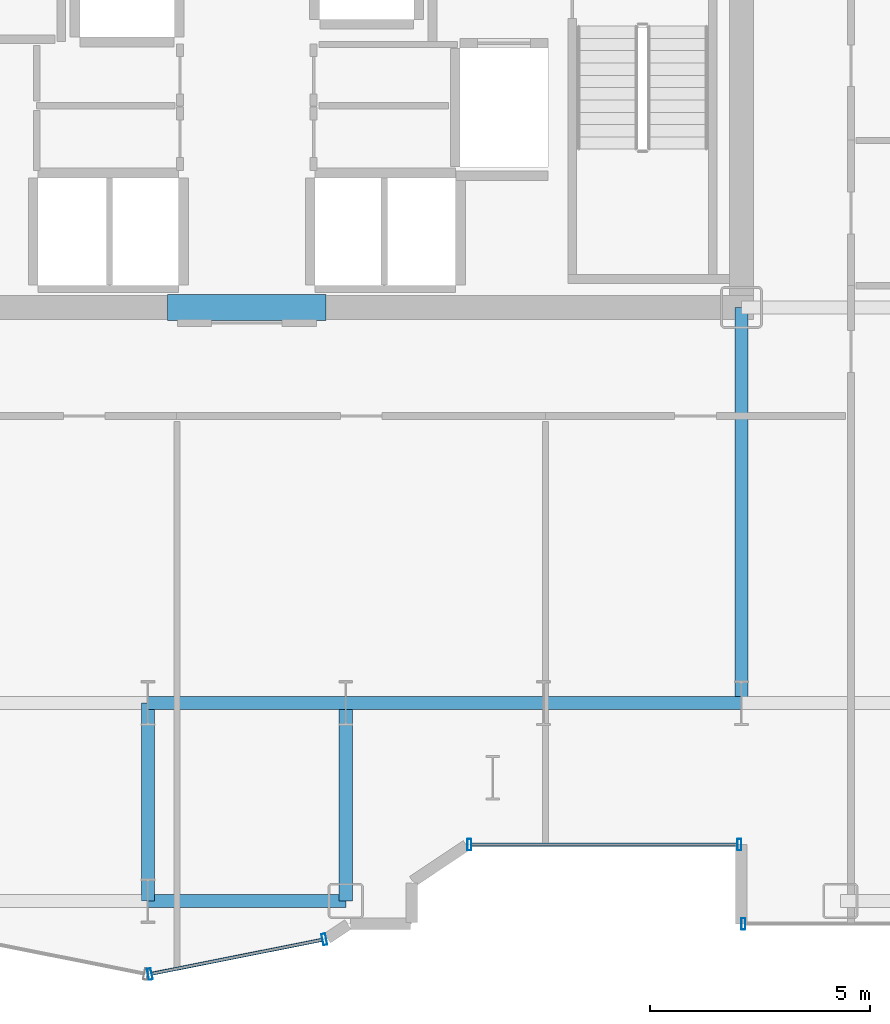
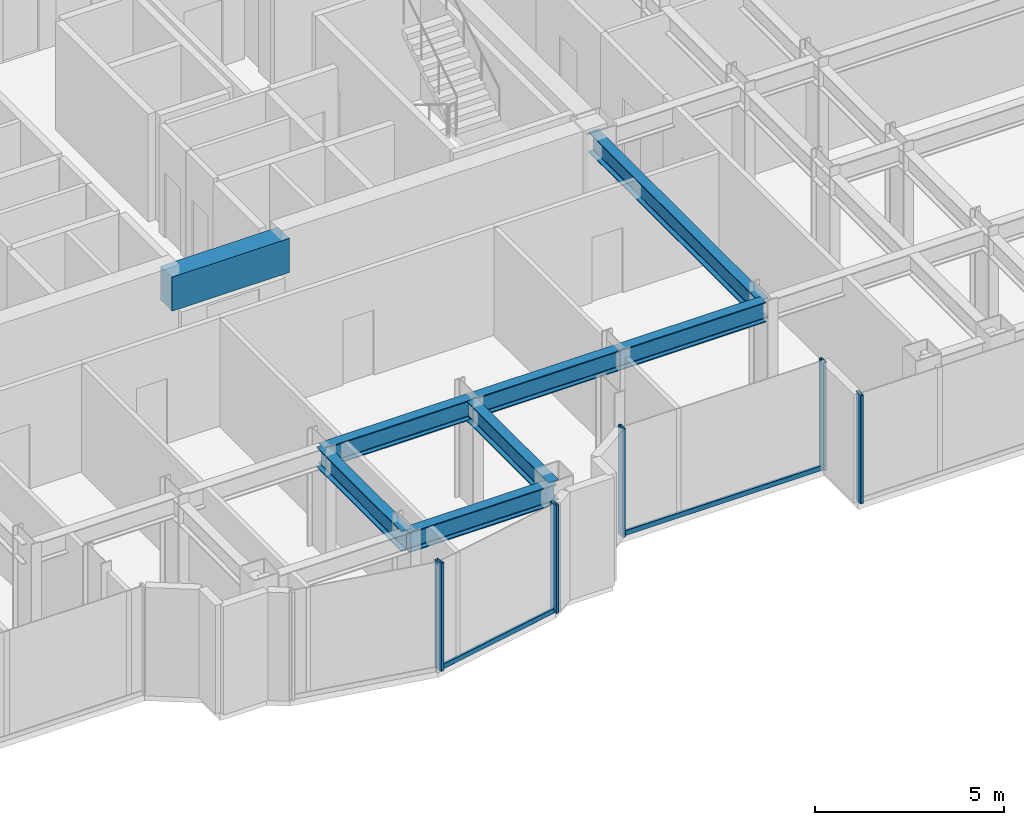
# One storey, part 6 of 26: 8 beams, 7 members, 3 elements without a shape of their own.
"""IFC4 building model written with IfcOpenShell, lengths in metres."""

from ifc_helpers import new_model, si_unit, direction, frame, origin, origin_2d, place, context, subcontext, project, spatial, rectangle, hollow_rectangle, i_section, extrude, source, transform, mapped, material, layer, layer_set, material_profile, profile_set, type_object, element, aggregate, save


model = new_model("IFC4")

# Units and contexts
model_context = context("Model", 3, precision=1e-05, world=origin(), true_north=direction((0.0, 1.0)))
body_context = subcontext(model_context, "Body", "Model", "MODEL_VIEW")
ifc_project = project(units=[si_unit("LENGTHUNIT", "METRE"), si_unit("AREAUNIT", "SQUARE_METRE"), si_unit("VOLUMEUNIT", "CUBIC_METRE"), si_unit("PLANEANGLEUNIT", "RADIAN"), si_unit("MASSUNIT", "GRAM", prefix="KILO")], contexts=[model_context])

# Site, building, storey
site_placement = place(None, origin())
site = spatial("IfcSite", under=ifc_project, at=site_placement, CompositionType="ELEMENT")
building_placement = place(site_placement, origin())
building = spatial("IfcBuilding", under=site, at=building_placement, Name="Nefas-Gora Pilgrimage Tower", CompositionType="ELEMENT")
storey_placement = place(building_placement, frame((0.0, 0.0, 140.199951171875)))
storey = spatial("IfcBuildingStorey", under=building, at=storey_placement, Name="L34", CompositionType="ELEMENT", Elevation=140.199951171875)

# Beams
ifc_material_1 = material(Name="Concrete C60/75", Category="concrete")
ifc_material_profile_1 = material_profile(ifc_material_1, rectangle(XDim=0.60009765625, YDim=1.10009765625, at=origin_2d()), Name="RC 600x1100")
ifc_profile_set_1 = profile_set([ifc_material_profile_1], Name="Concrete C60/75")
beam_type_1 = type_object("IfcBeamType", Name="BM-LIN-RC1100", PredefinedType="LINTEL", material=ifc_profile_set_1)
shared_shape_1 = source(origin(), body_context, "Body", "SweptSolid", [
    extrude(rectangle(XDim=0.60009765625, YDim=1.10009765625, at=origin_2d()), origin(), (0.0, 0.0, 1.0), 3.60009765625),
])
beam_1_placement = place(storey_placement, frame((-1.800048828125, -9.0, 2.949951171875), z_axis=(1.0, 0.0, 0.0), x_axis=(0.0, 1.0, 0.0)))
element("IfcBeam", 1, at=beam_1_placement, inside=storey, type_object=beam_type_1, Name="L34 Core Coupling Lintel Beam S", PredefinedType="LINTEL", context=body_context, shape_type="MappedRepresentation", body=[
    mapped(shared_shape_1, transform((0.0, 0.0, 0.0), x_axis=(1.0, 0.0, 0.0), y_axis=(0.0, 1.0, 0.0), z_axis=(0.0, 0.0, 1.0), scale=1.0)),
])
ifc_material_2 = material(Name="Steel S355", Category="steel")
ifc_material_profile_2 = material_profile(ifc_material_2, i_section(OverallWidth=0.300048828125, OverallDepth=0.64990234375, WebThickness=0.01611328125, FlangeThickness=0.031005859375, FilletRadius=0.027099609375, at=origin_2d()), Name="HEB 650")
ifc_profile_set_2 = profile_set([ifc_material_profile_2], Name="Steel S355")
beam_type_2 = type_object("IfcBeamType", Name="BM-GIR-HEB650", PredefinedType="BEAM", material=ifc_profile_set_2)
shared_shape_2 = source(origin(), body_context, "Body", "SweptSolid", [
    extrude(i_section(OverallWidth=0.300048828125, OverallDepth=0.64990234375, WebThickness=0.01611328125, FlangeThickness=0.031005859375, FilletRadius=0.027099609375, at=origin_2d()), origin(), (0.0, 0.0, 1.0), 9.0),
])
beam_2_placement = place(storey_placement, frame((11.25, -18.0, 3.175048828125), z_axis=(0.0, 1.0, 0.0), x_axis=(-1.0, 0.0, 0.0)))
element("IfcBeam", 2, at=beam_2_placement, inside=storey, type_object=beam_type_2, Name="L34 G-03 beam", PredefinedType="BEAM", context=body_context, shape_type="MappedRepresentation", body=[
    mapped(shared_shape_2, transform((0.0, 0.0, 0.0), x_axis=(1.0, 0.0, 0.0), y_axis=(0.0, 1.0, 0.0), z_axis=(0.0, 0.0, 1.0), scale=1.0)),
])
shared_shape_3 = source(origin(), body_context, "Body", "SweptSolid", [
    extrude(i_section(OverallWidth=0.300048828125, OverallDepth=0.64990234375, WebThickness=0.01611328125, FlangeThickness=0.031005859375, FilletRadius=0.027099609375, at=origin_2d()), origin(), (0.0, 0.0, 1.0), 4.5),
])
for number, where, z_axis, x_axis, name in (
    (3, (-2.25, -22.5, 3.175048828125), (0.0, 1.0, 0.0), (-1.0, 0.0, 0.0), "L34 G-03 beam"),
    (4, (-2.25, -22.5, 3.175048828125), (1.0, 0.0, 0.0), (0.0, 1.0, 0.0), "L34 G-03 beam"),
    (5, (-2.25, -18.0, 3.175048828125), (1.0, 0.0, 0.0), (0.0, 1.0, 0.0), "L34 G-03 beam"),
    (6, (2.25, -22.5, 3.175048828125), (0.0, 1.0, 0.0), (-1.0, 0.0, 0.0), "L34 G-03 beam"),
    (7, (2.25, -18.0, 3.175048828125), (1.0, 0.0, 0.0), (0.0, 1.0, 0.0), "L34 G-03 beam"),
    (8, (6.75, -18.0, 3.175048828125), (1.0, 0.0, 0.0), (0.0, 1.0, 0.0), "L34 G-03 beam"),
):
    element("IfcBeam", number, at=place(storey_placement, frame(where, z_axis=z_axis, x_axis=x_axis)), inside=storey, type_object=beam_type_2, Name=name, PredefinedType="BEAM", context=body_context, shape_type="MappedRepresentation", body=[
        mapped(shared_shape_3, transform((0.0, 0.0, 0.0), x_axis=(1.0, 0.0, 0.0), y_axis=(0.0, 1.0, 0.0), z_axis=(0.0, 0.0, 1.0), scale=1.0)),
    ])

# Curtain wall, member
ifc_material_3 = material(Name="Dark ceramic-fritted solar-control aluminium-glass curtain wall", Category="aluminium")
ifc_layer_1 = layer(ifc_material_3, 0.219970703125)
ifc_layer_set_1 = layer_set([ifc_layer_1], Name="Dark ceramic-fritted solar-control aluminium-glass curtain wall")
curtain_wall_type_1 = type_object("IfcCurtainWallType", Name="CW-SYS-5", PredefinedType="NOTDEFINED", material=ifc_layer_set_1)
curtain_wall_1_placement = place(storey_placement, origin())
curtain_wall_1 = element("IfcCurtainWall", 9, at=curtain_wall_1_placement, inside=storey, type_object=curtain_wall_type_1, Name="L34 Unitised Curtain Wall CW5", PredefinedType="NOTDEFINED")
ifc_material_4 = material(Name="Anodised architectural aluminium", Category="aluminium")
ifc_material_profile_3 = material_profile(ifc_material_4, hollow_rectangle(XDim=0.080078125, YDim=0.159912109375, WallThickness=0.00439453125, InnerFilletRadius=0.00439453125, OuterFilletRadius=0.009033203125, at=origin_2d()), Name="ALU TRANSOM 80x160")
ifc_profile_set_3 = profile_set([ifc_material_profile_3], Name="Anodised architectural aluminium")
member_type_1 = type_object("IfcMemberType", Name="CWM-TRN-5", PredefinedType="USERDEFINED", material=ifc_profile_set_3)
shared_shape_4 = source(origin(), body_context, "Body", "SweptSolid", [
    extrude(hollow_rectangle(XDim=0.080078125, YDim=0.159912109375, WallThickness=0.00439453125, InnerFilletRadius=0.00439453125, OuterFilletRadius=0.009033203125, at=origin_2d()), origin(), (0.0, 0.0, 1.0), 6.052001953125),
])
member_1_placement = place(storey_placement, frame((5.10791015625, -21.219970703125, 0.050048828125), z_axis=(1.0, 0.0, 0.0), x_axis=(0.0, 1.0, 0.0)))
member_1 = element("IfcMember", 10, at=member_1_placement, type_object=member_type_1, Name="CW5 Spandrel Transom", ObjectType="TRANSOM", PredefinedType="USERDEFINED", context=body_context, shape_type="MappedRepresentation", body=[
    mapped(shared_shape_4, transform((0.0, 0.0, 0.0), x_axis=(1.0, 0.0, 0.0), y_axis=(0.0, 1.0, 0.0), z_axis=(0.0, 0.0, 1.0), scale=1.0)),
])

curtain_wall_2_placement = place(storey_placement, origin())
curtain_wall_2 = element("IfcCurtainWall", 11, at=curtain_wall_2_placement, inside=storey, type_object=curtain_wall_type_1, Name="L34 Unitised Curtain Wall CW5", PredefinedType="NOTDEFINED")
shared_shape_5 = source(origin(), body_context, "Body", "SweptSolid", [
    extrude(hollow_rectangle(XDim=0.080078125, YDim=0.159912109375, WallThickness=0.00439453125, InnerFilletRadius=0.00439453125, OuterFilletRadius=0.009033203125, at=origin_2d()), origin(), (0.0, 0.0, 1.0), 3.95654296875),
])
member_2_placement = place(storey_placement, frame((-2.16162109375, -24.15478515625, 0.050048828125), z_axis=(0.980781880918, 0.195107411605, 0.0), x_axis=(-0.195107411605, 0.980781880918, 0.0)))
member_2 = element("IfcMember", 12, at=member_2_placement, type_object=member_type_1, Name="CW5 Spandrel Transom", ObjectType="TRANSOM", PredefinedType="USERDEFINED", context=body_context, shape_type="MappedRepresentation", body=[
    mapped(shared_shape_5, transform((0.0, 0.0, 0.0), x_axis=(1.0, 0.0, 0.0), y_axis=(0.0, 1.0, 0.0), z_axis=(0.0, 0.0, 1.0), scale=1.0)),
])

# Member
ifc_material_profile_4 = material_profile(ifc_material_4, hollow_rectangle(XDim=0.090087890625, YDim=0.260009765625, WallThickness=0.006103515625, InnerFilletRadius=0.006103515625, OuterFilletRadius=0.011962890625, at=origin_2d()), Name="ALU MULLION 90x260")
ifc_profile_set_4 = profile_set([ifc_material_profile_4], Name="Anodised architectural aluminium")
member_type_2 = type_object("IfcMemberType", Name="CWM-MUL-5", PredefinedType="MULLION", material=ifc_profile_set_4)
shared_shape_6 = source(origin(), body_context, "Body", "SweptSolid", [
    extrude(hollow_rectangle(XDim=0.090087890625, YDim=0.260009765625, WallThickness=0.006103515625, InnerFilletRadius=0.006103515625, OuterFilletRadius=0.011962890625, at=origin_2d()), origin(), (0.0, 0.0, 1.0), 3.5),
])
member_3_placement = place(storey_placement, frame((5.06298828125, -21.219970703125, 0.0), z_axis=(0.0, 0.0, 1.0), x_axis=(1.0, 0.0, 0.0)))
member_3 = element("IfcMember", 13, at=member_3_placement, type_object=member_type_2, Name="CW5 Mullion 1", PredefinedType="MULLION", context=body_context, shape_type="MappedRepresentation", body=[
    mapped(shared_shape_6, transform((0.0, 0.0, 0.0), x_axis=(1.0, 0.0, 0.0), y_axis=(0.0, 1.0, 0.0), z_axis=(0.0, 0.0, 1.0), scale=1.0)),
])

member_4_placement = place(storey_placement, frame((11.205078125, -21.219970703125, 0.0), z_axis=(0.0, 0.0, 1.0), x_axis=(1.0, 0.0, 0.0)))
member_4 = element("IfcMember", 14, at=member_4_placement, type_object=member_type_2, Name="CW5 Mullion 2", PredefinedType="MULLION", context=body_context, shape_type="MappedRepresentation", body=[
    mapped(shared_shape_6, transform((0.0, 0.0, 0.0), x_axis=(1.0, 0.0, 0.0), y_axis=(0.0, 1.0, 0.0), z_axis=(0.0, 0.0, 1.0), scale=1.0)),
])

aggregate(curtain_wall_1, [member_3, member_4, member_1])

member_5_placement = place(storey_placement, frame((-2.205810546875, -24.16357421875, 0.0), z_axis=(0.0, 0.0, 1.0), x_axis=(0.980782896852, 0.195102304554, 0.0)))
member_5 = element("IfcMember", 15, at=member_5_placement, type_object=member_type_2, Name="CW5 Mullion 1", PredefinedType="MULLION", context=body_context, shape_type="MappedRepresentation", body=[
    mapped(shared_shape_6, transform((0.0, 0.0, 0.0), x_axis=(1.0, 0.0, 0.0), y_axis=(0.0, 1.0, 0.0), z_axis=(0.0, 0.0, 1.0), scale=1.0)),
])

member_6_placement = place(storey_placement, frame((1.76318359375, -23.3740234375, 0.0), z_axis=(0.0, 0.0, 1.0), x_axis=(0.980782896852, 0.195102304554, 0.0)))
member_6 = element("IfcMember", 16, at=member_6_placement, type_object=member_type_2, Name="CW5 Mullion 2", PredefinedType="MULLION", context=body_context, shape_type="MappedRepresentation", body=[
    mapped(shared_shape_6, transform((0.0, 0.0, 0.0), x_axis=(1.0, 0.0, 0.0), y_axis=(0.0, 1.0, 0.0), z_axis=(0.0, 0.0, 1.0), scale=1.0)),
])

aggregate(curtain_wall_2, [member_5, member_6, member_2])

# Curtain wall, member
ifc_layer_2 = layer(ifc_material_3, 0.219970703125)
ifc_layer_set_2 = layer_set([ifc_layer_2], Name="Dark ceramic-fritted solar-control aluminium-glass curtain wall")
curtain_wall_type_2 = type_object("IfcCurtainWallType", Name="CW-SYS-2", PredefinedType="NOTDEFINED", material=ifc_layer_set_2)
curtain_wall_3_placement = place(storey_placement, origin())
curtain_wall_3 = element("IfcCurtainWall", 17, at=curtain_wall_3_placement, inside=storey, type_object=curtain_wall_type_2, Name="L34 Unitised Curtain Wall CW2", PredefinedType="NOTDEFINED")
ifc_material_profile_5 = material_profile(ifc_material_4, hollow_rectangle(XDim=0.090087890625, YDim=0.260009765625, WallThickness=0.006103515625, InnerFilletRadius=0.006103515625, OuterFilletRadius=0.011962890625, at=origin_2d()), Name="ALU MULLION 90x260")
ifc_profile_set_5 = profile_set([ifc_material_profile_5], Name="Anodised architectural aluminium")
member_type_3 = type_object("IfcMemberType", Name="CWM-MUL-2", PredefinedType="MULLION", material=ifc_profile_set_5)
shared_shape_7 = source(origin(), body_context, "Body", "SweptSolid", [
    extrude(hollow_rectangle(XDim=0.090087890625, YDim=0.260009765625, WallThickness=0.006103515625, InnerFilletRadius=0.006103515625, OuterFilletRadius=0.011962890625, at=origin_2d()), origin(), (0.0, 0.0, 1.0), 3.5),
])
member_7_placement = place(storey_placement, frame((11.294921875, -23.02001953125, 0.0), z_axis=(0.0, 0.0, 1.0), x_axis=(1.0, 0.0, 0.0)))
member_7 = element("IfcMember", 18, at=member_7_placement, type_object=member_type_3, Name="CW2 Mullion 1", PredefinedType="MULLION", context=body_context, shape_type="MappedRepresentation", body=[
    mapped(shared_shape_7, transform((0.0, 0.0, 0.0), x_axis=(1.0, 0.0, 0.0), y_axis=(0.0, 1.0, 0.0), z_axis=(0.0, 0.0, 1.0), scale=1.0)),
])
aggregate(curtain_wall_3, [member_7])

save(model, "model.ifc")
